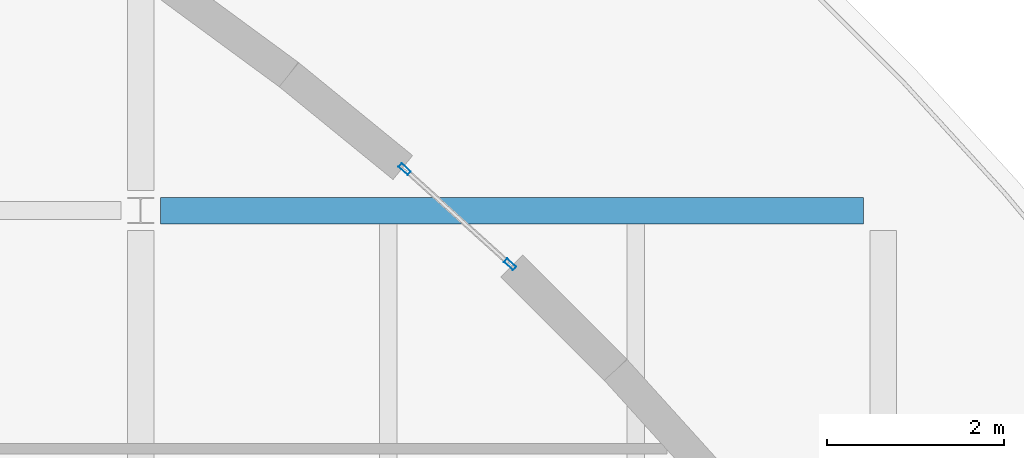
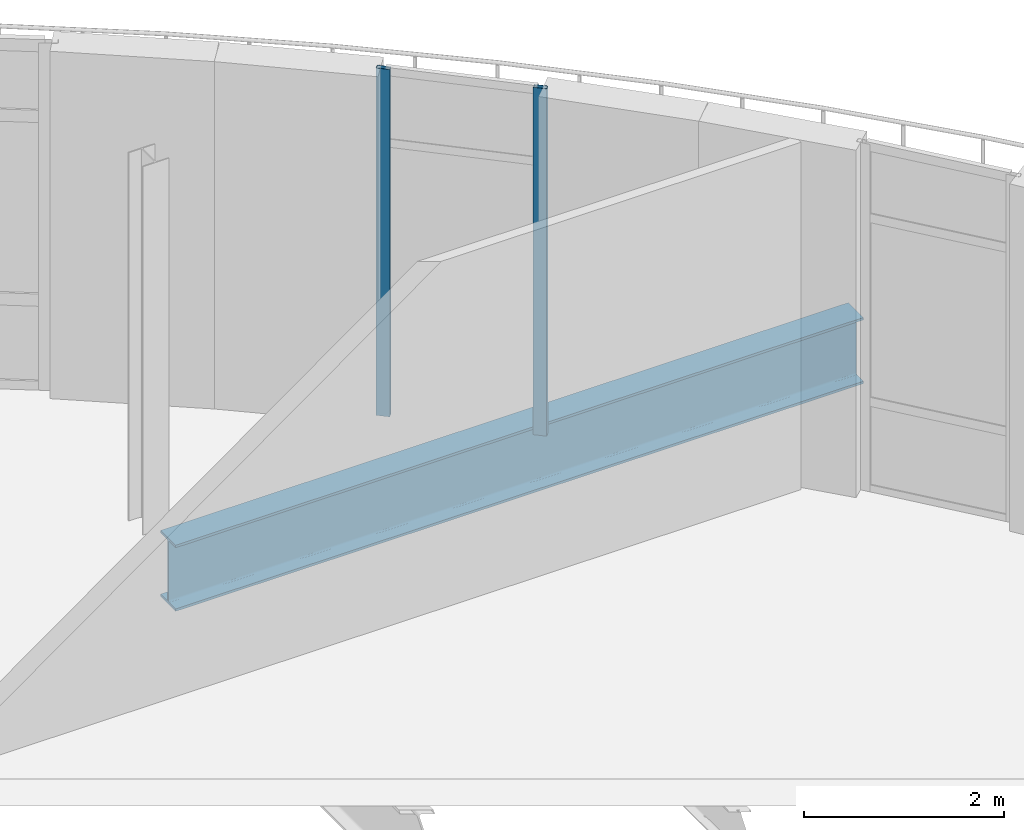
# One storey, part 17 of 40: 2 members, 1 beam, 1 element without a shape of its own.
"""IFC4 building model written with IfcOpenShell, lengths in metres."""

import ifcopenshell
import ifcopenshell.guid

model = None  # the IFC model being written
_history = None  # IfcOwnerHistory: only IFC2X3 demands one
_inside = {}  # id of a spatial element -> (the spatial element, [elements in it])
_under = {}  # id of a project, library or spatial element -> (it, [spatial elements below it])
_declared = {}  # id of a project -> (the project, [libraries it declares])
_typed = {}  # id of a type object -> (the type object, [elements of that type])
_made_of = {}  # id of a material, layer set ... -> (it, [elements and type objects made of it])


def new_model(schema):
    """Start an empty IFC model of exactly this schema.

    Asked for "IFC4X3", IfcOpenShell would pick the latest addendum, in which some entities
    have other attributes; the version numbers below select the first issue.
    IFC2X3 requires an IfcOwnerHistory on every rooted entity: one is made here for all.
    """
    global model, _history
    if schema == "IFC4X3":
        model = ifcopenshell.file(schema_version=(4, 3, 0, 0))
    else:
        model = ifcopenshell.file(schema=schema)
    _inside.clear()
    _under.clear()
    _declared.clear()
    _typed.clear()
    _made_of.clear()
    _history = None
    if model.schema == "IFC2X3":
        org = make("IfcOrganization", Name="unknown")
        user = make(
            "IfcPersonAndOrganization",
            ThePerson=make("IfcPerson", FamilyName="unknown"),
            TheOrganization=org,
        )
        app = make(
            "IfcApplication",
            ApplicationDeveloper=org,
            Version="unknown",
            ApplicationFullName="unknown",
            ApplicationIdentifier="unknown",
        )
        _history = make(
            "IfcOwnerHistory",
            OwningUser=user,
            OwningApplication=app,
            ChangeAction="ADDED",
            CreationDate=0,
        )
    return model


def make(cls, **values):
    """One entity of the class cls with the attributes given. An attribute that is None is left unset."""
    return model.create_entity(
        cls, **{name: value for name, value in values.items() if value is not None}
    )


def rooted(cls, **values):
    """An entity with a GlobalId (a new one), such as an element, a storey or a relation."""
    return make(cls, GlobalId=ifcopenshell.guid.new(), OwnerHistory=_history, **values)


def si_unit(unit_type, name, prefix=None):
    """IfcSIUnit, for example si_unit("LENGTHUNIT", "METRE", prefix="MILLI")."""
    return make("IfcSIUnit", UnitType=unit_type, Prefix=prefix, Name=name)


def assignment(units):
    """IfcUnitAssignment: the units of a project."""
    return None if units is None else make("IfcUnitAssignment", Units=units)


def point(xyz):
    """IfcCartesianPoint."""
    return None if xyz is None else make("IfcCartesianPoint", Coordinates=xyz)


def direction(xyz):
    """IfcDirection."""
    return None if xyz is None else make("IfcDirection", DirectionRatios=xyz)


def frame(location, z_axis=None, x_axis=None):
    """IfcAxis2Placement3D, a coordinate frame: its origin and axes. An axis left out is left unset."""
    return make(
        "IfcAxis2Placement3D",
        Location=point(location),
        Axis=direction(z_axis),
        RefDirection=direction(x_axis),
    )


def frame_2d(location, x_axis=None):
    """IfcAxis2Placement2D, a coordinate frame in the plane: its origin and x axis."""
    return make(
        "IfcAxis2Placement2D", Location=point(location), RefDirection=direction(x_axis)
    )


def origin():
    """The frame at (0, 0, 0) with its axes left unset."""
    return frame((0.0, 0.0, 0.0))


def origin_2d():
    """The frame at (0, 0) in the plane with its x axis left unset."""
    return frame_2d((0.0, 0.0))


def place(relative_to, where):
    """IfcLocalPlacement: puts the frame where relative to a parent placement (None: the world)."""
    return make(
        "IfcLocalPlacement", PlacementRelTo=relative_to, RelativePlacement=where
    )


def context(
    kind, dimensions, precision=None, world=None, true_north=None, identifier=None
):
    """IfcGeometricRepresentationContext, for example the 3D "Model" context."""
    return make(
        "IfcGeometricRepresentationContext",
        ContextIdentifier=identifier,
        ContextType=kind,
        CoordinateSpaceDimension=dimensions,
        Precision=precision,
        WorldCoordinateSystem=world,
        TrueNorth=true_north,
    )


def subcontext(parent, identifier, kind, view, scale=None):
    """IfcGeometricRepresentationSubContext, for example "Body" below "Model"."""
    return make(
        "IfcGeometricRepresentationSubContext",
        ContextIdentifier=identifier,
        ContextType=kind,
        ParentContext=parent,
        TargetScale=scale,
        TargetView=view,
    )


def project(units=None, contexts=None):
    """IfcProject with its units and contexts."""
    return rooted(
        "IfcProject",
        Name="project",
        RepresentationContexts=contexts,
        UnitsInContext=assignment(units),
    )


def spatial(cls, under=None, at=None, **own):
    """A site, building, storey or space (cls), placed at a placement, below another one or the project."""
    s = rooted(cls, ObjectPlacement=at, **own)
    if under is not None:
        _under.setdefault(under.id(), (under, []))[1].append(s)
    return s


def profile(cls, at=None, kind="AREA", **sizes):
    """A parametric profile (cls). Its sizes go by their IFC names, for example OverallWidth=200.0."""
    return make(cls, ProfileType=kind, Position=at, **sizes)


def hollow_rectangle(**sizes):
    """IfcRectangleHollowProfileDef."""
    return profile("IfcRectangleHollowProfileDef", **sizes)


def i_section(**sizes):
    """IfcIShapeProfileDef."""
    return profile("IfcIShapeProfileDef", **sizes)


def extrude(swept, where, along, depth):
    """IfcExtrudedAreaSolid: the profile swept, set in the frame where, extruded along a direction by depth."""
    return make(
        "IfcExtrudedAreaSolid",
        SweptArea=swept,
        Position=where,
        ExtrudedDirection=direction(along),
        Depth=depth,
    )


def shape(context_of_items, identifier, shape_type, items):
    """IfcShapeRepresentation: the items that make up one representation, for example the "Body"."""
    return make(
        "IfcShapeRepresentation",
        ContextOfItems=context_of_items,
        RepresentationIdentifier=identifier,
        RepresentationType=shape_type,
        Items=items,
    )


def material(Name=None, Category=None):
    """IfcMaterial."""
    return make("IfcMaterial", Name=Name, Category=Category)


def layer(
    of_material, thickness, ventilated=None, Name=None, Category=None, Priority=None
):
    """IfcMaterialLayer: one layer of a wall or slab, of a material (None: an air gap)."""
    return make(
        "IfcMaterialLayer",
        Material=of_material,
        LayerThickness=thickness,
        IsVentilated=ventilated,
        Name=Name,
        Category=Category,
        Priority=Priority,
    )


def layer_set(layers, Name=None):
    """IfcMaterialLayerSet."""
    return make("IfcMaterialLayerSet", MaterialLayers=layers, LayerSetName=Name)


def material_profile(
    of_material, cross_section, Name=None, Category=None, Priority=None
):
    """IfcMaterialProfile: a cross section and its material."""
    return make(
        "IfcMaterialProfile",
        Name=Name,
        Material=of_material,
        Profile=cross_section,
        Priority=Priority,
        Category=Category,
    )


def profile_set(profiles, Name=None, composite=None):
    """IfcMaterialProfileSet."""
    return make(
        "IfcMaterialProfileSet",
        Name=Name,
        MaterialProfiles=profiles,
        CompositeProfile=composite,
    )


def made_of(thing, what):
    """Note that an element or type object is made of a material, layer set ...; save() writes the relation."""
    if what is not None:
        _made_of.setdefault(what.id(), (what, []))[1].append(thing)
    return thing


def type_object(cls, material=None, **own):
    """A type object (cls), such as IfcWallType, which elements share."""
    return made_of(rooted(cls, **own), material)


def element(
    cls,
    number,
    at=None,
    inside=None,
    cuts=None,
    type_object=None,
    material=None,
    context=None,
    identifier="Body",
    shape_type=None,
    held_by="IfcProductDefinitionShape",
    body=None,
    shapes=None,
    **own,
):
    """One element of the class cls, such as IfcWall. Its Tag is "e" and its number.

    at: its placement. inside: the storey or other place that contains it. cuts: it is an
    opening in that element (IfcRelVoidsElement). A single representation is given by context,
    identifier, shape_type and body (its items); several are given by shapes. held_by: the class
    of the entity that holds the representations. save() writes the other relations.
    """
    e = rooted(cls, Tag="e%d" % number, ObjectPlacement=at, **own)
    if body is not None:
        shapes = [shape(context, identifier, shape_type, body)]
    if shapes is not None:
        e.Representation = make(held_by, Representations=shapes)
    if inside is not None:
        _inside.setdefault(inside.id(), (inside, []))[1].append(e)
    if cuts is not None:
        rooted(
            "IfcRelVoidsElement", RelatingBuildingElement=cuts, RelatedOpeningElement=e
        )
    if type_object is not None:
        _typed.setdefault(type_object.id(), (type_object, []))[1].append(e)
    return made_of(e, material)


def aggregate(whole, parts):
    """IfcRelAggregates: a whole, such as a stair, and the parts it consists of."""
    return rooted("IfcRelAggregates", RelatingObject=whole, RelatedObjects=parts)


def save(model, path):
    """Write the relations noted so far, then the file.

    IfcRelAggregates (storeys below a building ...), IfcRelContainedInSpatialStructure (elements
    in a storey), IfcRelDefinesByType, IfcRelAssociatesMaterial and IfcRelDeclares: one each for
    every whole, place, type object, material and project.
    """
    for whole, parts in _under.values():
        aggregate(whole, parts)
    for where, things in _inside.values():
        rooted(
            "IfcRelContainedInSpatialStructure",
            RelatedElements=things,
            RelatingStructure=where,
        )
    for kind, things in _typed.values():
        rooted("IfcRelDefinesByType", RelatedObjects=things, RelatingType=kind)
    for what, things in _made_of.values():
        rooted("IfcRelAssociatesMaterial", RelatedObjects=things, RelatingMaterial=what)
    for by, libraries in _declared.values():
        rooted("IfcRelDeclares", RelatingContext=by, RelatedDefinitions=libraries)
    model.write(path)


model = new_model("IFC4")

# Units and contexts
model_context = context("Model", 3, precision=1e-05, world=origin(), true_north=direction((0.0, 1.0)))
body_context = subcontext(model_context, "Body", "Model", "MODEL_VIEW")
ifc_project = project(units=[si_unit("LENGTHUNIT", "METRE"), si_unit("AREAUNIT", "SQUARE_METRE"), si_unit("VOLUMEUNIT", "CUBIC_METRE"), si_unit("PLANEANGLEUNIT", "RADIAN"), si_unit("MASSUNIT", "GRAM", prefix="KILO"), si_unit("THERMODYNAMICTEMPERATUREUNIT", "KELVIN")], contexts=[model_context])

# Site, building, storey
site_placement = place(None, origin())
site = spatial("IfcSite", under=ifc_project, at=site_placement, CompositionType="ELEMENT")
building_placement = place(site_placement, origin())
building = spatial("IfcBuilding", under=site, at=building_placement, Name="Lustrewick Department Store", CompositionType="ELEMENT")
storey_placement = place(building_placement, frame((0.0, 0.0, 31.800048828125)))
storey = spatial("IfcBuildingStorey", under=building, at=storey_placement, Name="L07", CompositionType="ELEMENT", Elevation=31.800048828125)

# Curtain wall, members
ifc_material_1 = material(Name="Thermally broken aluminium 6063-T5", Category="aluminium")
ifc_layer = layer(ifc_material_1, 0.139892578125, Name="Thermally broken aluminium 6063-T5")
ifc_layer_set = layer_set([ifc_layer], Name="Thermally broken aluminium 6063-T5")
curtain_wall_type = type_object("IfcCurtainWallType", Name="CW15", PredefinedType="NOTDEFINED", material=ifc_layer_set)
curtain_wall_placement = place(storey_placement, origin())
curtain_wall = element("IfcCurtainWall", 1, at=curtain_wall_placement, inside=storey, type_object=curtain_wall_type, Name="L07 V4 Curtain Wall CW15", PredefinedType="NOTDEFINED")
ifc_material_profile_1 = material_profile(ifc_material_1, hollow_rectangle(XDim=0.054931640625, YDim=0.139892578125, WallThickness=0.00341796875, at=origin_2d()), Name="ALU-M 55x140x3.5")
ifc_profile_set_1 = profile_set([ifc_material_profile_1], Name="Thermally broken aluminium 6063-T5")
member_type = type_object("IfcMemberType", Name="CW15-M1", PredefinedType="MULLION", material=ifc_profile_set_1)
member_1_placement = place(storey_placement, frame((138.57763671875, 83.3916015625, 0.0), z_axis=(0.0, 0.0, 1.0), x_axis=(-0.670396356585, -0.742003184008, 0.0)))
member_1 = element("IfcMember", 2, at=member_1_placement, type_object=member_type, Name="CW15 mullion 1", PredefinedType="MULLION", context=body_context, shape_type="SweptSolid", body=[
    extrude(hollow_rectangle(XDim=0.054931640625, YDim=0.139892578125, WallThickness=0.00341796875, at=origin_2d()), origin(), (0.0, 0.0, 1.0), 4.244873046875),
])
member_2_placement = place(storey_placement, frame((137.385498046875, 84.46875, 0.0), z_axis=(0.0, 0.0, 1.0), x_axis=(-0.670396356585, -0.742003184008, 0.0)))
member_2 = element("IfcMember", 3, at=member_2_placement, type_object=member_type, Name="CW15 mullion 2", PredefinedType="MULLION", context=body_context, shape_type="SweptSolid", body=[
    extrude(hollow_rectangle(XDim=0.054931640625, YDim=0.139892578125, WallThickness=0.00341796875, at=origin_2d()), origin(), (0.0, 0.0, 1.0), 4.244873046875),
])
aggregate(curtain_wall, [member_1, member_2])

# Beam
ifc_material_2 = material(Name="Structural steel Q355C", Category="steel")
ifc_material_profile_2 = material_profile(ifc_material_2, i_section(OverallWidth=0.302001953125, OverallDepth=0.80810546875, WebThickness=0.01611328125, FlangeThickness=0.030029296875, FilletRadius=0.02197265625, at=origin_2d()), Name="HN 808x302x16x30")
ifc_profile_set_2 = profile_set([ifc_material_profile_2], Name="Structural steel Q355C")
beam_type = type_object("IfcBeamType", Name="G04", PredefinedType="BEAM", material=ifc_profile_set_2)
beam_placement = place(storey_placement, frame((134.625, 84.0, -0.658935546875), z_axis=(1.0, 0.0, 0.0), x_axis=(0.0, 1.0, 0.0)))
element("IfcBeam", 4, at=beam_placement, inside=storey, type_object=beam_type, Name="L07 V4 Girder G04", PredefinedType="BEAM", context=body_context, shape_type="SweptSolid", body=[
    extrude(i_section(OverallWidth=0.302001953125, OverallDepth=0.80810546875, WebThickness=0.01611328125, FlangeThickness=0.030029296875, FilletRadius=0.02197265625, at=origin_2d()), origin(), (0.0, 0.0, 1.0), 7.949951171875),
])

save(model, "model.ifc")
